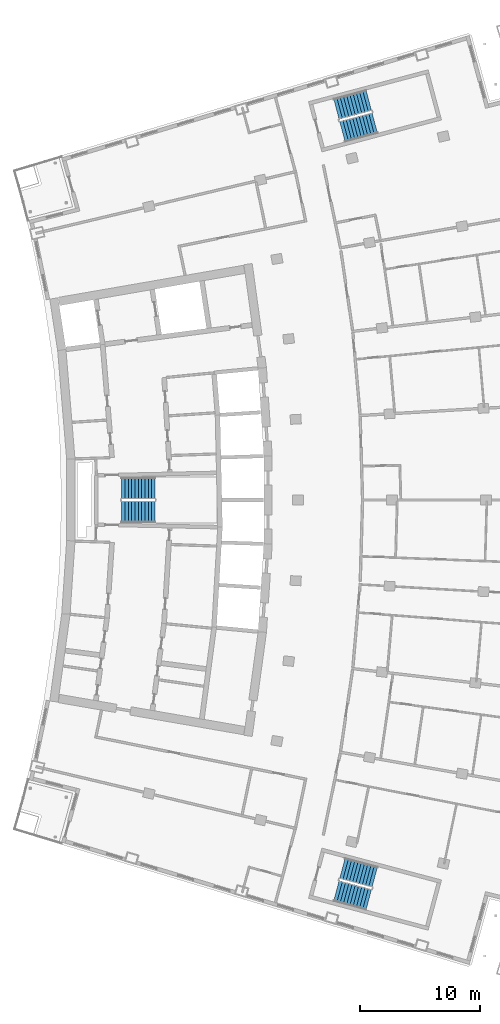
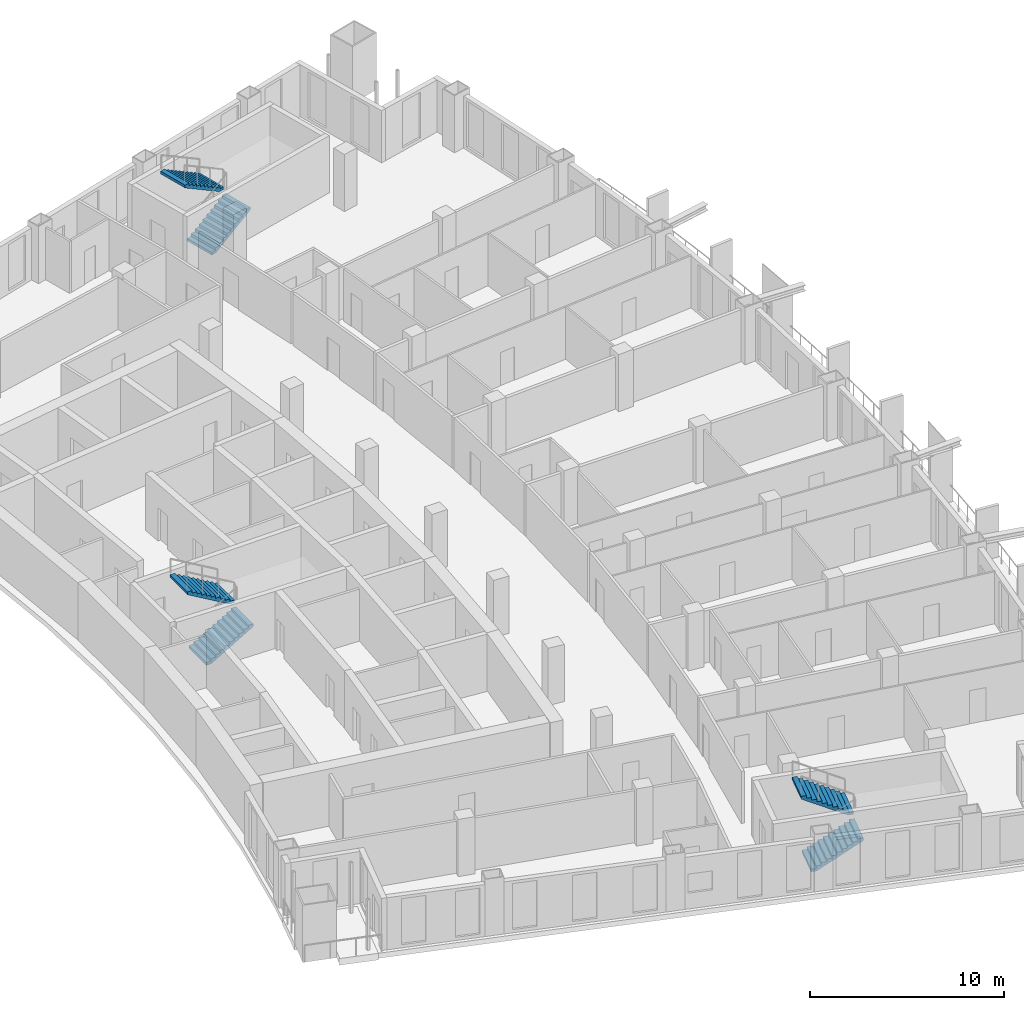
# One storey, part 17 of 20: 6 stair flights, 3 elements without a shape of their own.
"""IFC4 building model written with IfcOpenShell, lengths in metres."""

from ifc_helpers import new_model, si_unit, direction, frame, origin, place, context, subcontext, project, spatial, polyline, outline, extrude, material, layer, layer_set, type_object, element, aggregate, save


model = new_model("IFC4")

# Units and contexts
model_context = context("Model", 3, precision=1e-05, world=origin(), true_north=direction((0.0, 1.0)))
body_context = subcontext(model_context, "Body", "Model", "MODEL_VIEW")
ifc_project = project(units=[si_unit("LENGTHUNIT", "METRE"), si_unit("AREAUNIT", "SQUARE_METRE"), si_unit("VOLUMEUNIT", "CUBIC_METRE"), si_unit("PLANEANGLEUNIT", "RADIAN"), si_unit("MASSUNIT", "GRAM", prefix="KILO")], contexts=[model_context])

# Site, building, storey
site_placement = place(None, origin())
site = spatial("IfcSite", under=ifc_project, at=site_placement, CompositionType="ELEMENT")
building_placement = place(site_placement, origin())
building = spatial("IfcBuilding", under=site, at=building_placement, Name="Alderwake Tower", CompositionType="ELEMENT")
storey_placement = place(building_placement, frame((0.0, 0.0, 164.0)))
storey = spatial("IfcBuildingStorey", under=building, at=storey_placement, Name="L40", CompositionType="ELEMENT", Elevation=164.0)

# Stair, stair flights
ifc_material_1 = material(Name="Concrete C40/50", Category="concrete")
stair_type = type_object("IfcStairType", Name="Core exit stair", PredefinedType="HALF_TURN_STAIR", material=ifc_material_1)
stair_1_placement = place(storey_placement, origin())
stair_1 = element("IfcStair", 1, at=stair_1_placement, inside=storey, type_object=stair_type, Name="L40 Exit Stair B", PredefinedType="HALF_TURN_STAIR")
ifc_material_2 = material(Name="Concrete C40/50", Category="concrete")
ifc_layer = layer(ifc_material_2, 0.14990234375)
ifc_layer_set = layer_set([ifc_layer], Name="Core stair flight")
stair_flight_type = type_object("IfcStairFlightType", Name="Core stair flight", PredefinedType="STRAIGHT", material=ifc_layer_set)
stair_flight_1_placement = place(storey_placement, frame((21.0400390625, 60.02490234375, 0.0), z_axis=(0.0, 0.0, 1.0), x_axis=(1.0, 0.0, 0.0)))
stair_flight_1 = element("IfcStairFlight", 2, at=stair_flight_1_placement, type_object=stair_flight_type, Name="ST-B flight 1", NumberOfRisers=11, NumberOfTreads=10, PredefinedType="STRAIGHT", RiserHeight=0.163636364, TreadLength=0.28, context=body_context, shape_type="SweptSolid", body=[
    extrude(outline(polyline([(0.0, 0.0), (0.0, 0.16357421875), (0.280029296875, 0.16357421875), (0.280029296875, 0.327392578125), (0.56005859375, 0.327392578125), (0.56005859375, 0.490966796875), (0.840087890625, 0.490966796875), (0.840087890625, 0.654541015625), (1.1201171875, 0.654541015625), (1.1201171875, 0.818115234375), (1.39990234375, 0.818115234375), (1.39990234375, 0.98193359375), (1.679931640625, 0.98193359375), (1.679931640625, 1.1455078125), (1.9599609375, 1.1455078125), (1.9599609375, 1.30908203125), (2.239990234375, 1.30908203125), (2.239990234375, 1.47265625), (2.52001953125, 1.47265625), (2.52001953125, 1.636474609375), (2.800048828125, 1.636474609375), (2.800048828125, 1.800048828125), (2.800048828125, 1.462646484375), (0.297119140625, 0.0), (0.0, 0.0)])), frame((0.0, 0.89990234375, 0.0), z_axis=(0.0, -1.0, 0.0), x_axis=(1.0, 0.0, 0.0)), (0.0, 0.0, 1.0), 1.800048828125),
])
stair_flight_2_placement = place(storey_placement, frame((23.840087890625, 61.97509765625, 1.800048828125), z_axis=(0.0, 0.0, 1.0), x_axis=(-1.0, 0.0, 0.0)))
stair_flight_2 = element("IfcStairFlight", 3, at=stair_flight_2_placement, type_object=stair_flight_type, Name="ST-B flight 2", NumberOfRisers=11, NumberOfTreads=10, PredefinedType="STRAIGHT", RiserHeight=0.163636364, TreadLength=0.28, context=body_context, shape_type="SweptSolid", body=[
    extrude(outline(polyline([(0.0, 0.0), (0.0, 0.16357421875), (0.280029296875, 0.16357421875), (0.280029296875, 0.327392578125), (0.56005859375, 0.327392578125), (0.56005859375, 0.490966796875), (0.840087890625, 0.490966796875), (0.840087890625, 0.654541015625), (1.1201171875, 0.654541015625), (1.1201171875, 0.818115234375), (1.39990234375, 0.818115234375), (1.39990234375, 0.98193359375), (1.679931640625, 0.98193359375), (1.679931640625, 1.1455078125), (1.9599609375, 1.1455078125), (1.9599609375, 1.30908203125), (2.239990234375, 1.30908203125), (2.239990234375, 1.47265625), (2.52001953125, 1.47265625), (2.52001953125, 1.636474609375), (2.800048828125, 1.636474609375), (2.800048828125, 1.800048828125), (2.800048828125, 1.462646484375), (0.297119140625, 0.0), (0.0, 0.0)])), frame((0.0, 0.89990234375, 0.0), z_axis=(0.0, -1.0, 0.0), x_axis=(1.0, 0.0, 0.0)), (0.0, 0.0, 1.0), 1.800048828125),
])
aggregate(stair_1, [stair_flight_1, stair_flight_2])

stair_2_placement = place(storey_placement, origin())
stair_2 = element("IfcStair", 4, at=stair_2_placement, inside=storey, type_object=stair_type, Name="L40 Exit Stair A", PredefinedType="HALF_TURN_STAIR")
stair_flight_3_placement = place(storey_placement, frame((39.512939453125, 91.823974609375, 0.0), z_axis=(0.0, 0.0, 1.0), x_axis=(0.966309627437, 0.257382407951, 0.0)))
stair_flight_3 = element("IfcStairFlight", 5, at=stair_flight_3_placement, type_object=stair_flight_type, Name="ST-A flight 1", NumberOfRisers=11, NumberOfTreads=10, PredefinedType="STRAIGHT", RiserHeight=0.163636364, TreadLength=0.28, context=body_context, shape_type="SweptSolid", body=[
    extrude(outline(polyline([(0.0, 0.0), (0.0, 0.16357421875), (0.280029296875, 0.16357421875), (0.280029296875, 0.327392578125), (0.56005859375, 0.327392578125), (0.56005859375, 0.490966796875), (0.840087890625, 0.490966796875), (0.840087890625, 0.654541015625), (1.1201171875, 0.654541015625), (1.1201171875, 0.818115234375), (1.39990234375, 0.818115234375), (1.39990234375, 0.98193359375), (1.679931640625, 0.98193359375), (1.679931640625, 1.1455078125), (1.9599609375, 1.1455078125), (1.9599609375, 1.30908203125), (2.239990234375, 1.30908203125), (2.239990234375, 1.47265625), (2.52001953125, 1.47265625), (2.52001953125, 1.636474609375), (2.800048828125, 1.636474609375), (2.800048828125, 1.800048828125), (2.800048828125, 1.462646484375), (0.297119140625, 0.0), (0.0, 0.0)])), frame((0.0, 0.89990234375, 0.0), z_axis=(0.0, -1.0, 0.0), x_axis=(1.0, 0.0, 0.0)), (0.0, 0.0, 1.0), 1.800048828125),
])
stair_flight_4_placement = place(storey_placement, frame((41.716796875, 94.428955078125, 1.800048828125), z_axis=(0.0, 0.0, 1.0), x_axis=(-0.966309627437, -0.257382407951, 0.0)))
stair_flight_4 = element("IfcStairFlight", 6, at=stair_flight_4_placement, type_object=stair_flight_type, Name="ST-A flight 2", NumberOfRisers=11, NumberOfTreads=10, PredefinedType="STRAIGHT", RiserHeight=0.163636364, TreadLength=0.28, context=body_context, shape_type="SweptSolid", body=[
    extrude(outline(polyline([(0.0, 0.0), (0.0, 0.16357421875), (0.280029296875, 0.16357421875), (0.280029296875, 0.327392578125), (0.56005859375, 0.327392578125), (0.56005859375, 0.490966796875), (0.840087890625, 0.490966796875), (0.840087890625, 0.654541015625), (1.1201171875, 0.654541015625), (1.1201171875, 0.818115234375), (1.39990234375, 0.818115234375), (1.39990234375, 0.98193359375), (1.679931640625, 0.98193359375), (1.679931640625, 1.1455078125), (1.9599609375, 1.1455078125), (1.9599609375, 1.30908203125), (2.239990234375, 1.30908203125), (2.239990234375, 1.47265625), (2.52001953125, 1.47265625), (2.52001953125, 1.636474609375), (2.800048828125, 1.636474609375), (2.800048828125, 1.800048828125), (2.800048828125, 1.462646484375), (0.297119140625, 0.0), (0.0, 0.0)])), frame((0.0, 0.89990234375, 0.0), z_axis=(0.0, -1.0, 0.0), x_axis=(1.0, 0.0, 0.0)), (0.0, 0.0, 1.0), 1.800048828125),
])
aggregate(stair_2, [stair_flight_3, stair_flight_4])

stair_3_placement = place(storey_placement, origin())
stair_3 = element("IfcStair", 7, at=stair_3_placement, inside=storey, type_object=stair_type, Name="L40 Exit Stair C", PredefinedType="HALF_TURN_STAIR")
stair_flight_5_placement = place(storey_placement, frame((39.010986328125, 28.291748046875, 0.0), z_axis=(0.0, 0.0, 1.0), x_axis=(0.966309627437, -0.257382407951, 0.0)))
stair_flight_5 = element("IfcStairFlight", 8, at=stair_flight_5_placement, type_object=stair_flight_type, Name="ST-C flight 1", NumberOfRisers=11, NumberOfTreads=10, PredefinedType="STRAIGHT", RiserHeight=0.163636364, TreadLength=0.28, context=body_context, shape_type="SweptSolid", body=[
    extrude(outline(polyline([(0.0, 0.0), (0.0, 0.16357421875), (0.280029296875, 0.16357421875), (0.280029296875, 0.327392578125), (0.56005859375, 0.327392578125), (0.56005859375, 0.490966796875), (0.840087890625, 0.490966796875), (0.840087890625, 0.654541015625), (1.1201171875, 0.654541015625), (1.1201171875, 0.818115234375), (1.39990234375, 0.818115234375), (1.39990234375, 0.98193359375), (1.679931640625, 0.98193359375), (1.679931640625, 1.1455078125), (1.9599609375, 1.1455078125), (1.9599609375, 1.30908203125), (2.239990234375, 1.30908203125), (2.239990234375, 1.47265625), (2.52001953125, 1.47265625), (2.52001953125, 1.636474609375), (2.800048828125, 1.636474609375), (2.800048828125, 1.800048828125), (2.800048828125, 1.462646484375), (0.297119140625, 0.0), (0.0, 0.0)])), frame((0.0, 0.89990234375, 0.0), z_axis=(0.0, -1.0, 0.0), x_axis=(1.0, 0.0, 0.0)), (0.0, 0.0, 1.0), 1.800048828125),
])
stair_flight_6_placement = place(storey_placement, frame((42.218505859375, 29.455322265625, 1.800048828125), z_axis=(0.0, 0.0, 1.0), x_axis=(-0.966309627437, 0.257382407951, 0.0)))
stair_flight_6 = element("IfcStairFlight", 9, at=stair_flight_6_placement, type_object=stair_flight_type, Name="ST-C flight 2", NumberOfRisers=11, NumberOfTreads=10, PredefinedType="STRAIGHT", RiserHeight=0.163636364, TreadLength=0.28, context=body_context, shape_type="SweptSolid", body=[
    extrude(outline(polyline([(0.0, 0.0), (0.0, 0.16357421875), (0.280029296875, 0.16357421875), (0.280029296875, 0.327392578125), (0.56005859375, 0.327392578125), (0.56005859375, 0.490966796875), (0.840087890625, 0.490966796875), (0.840087890625, 0.654541015625), (1.1201171875, 0.654541015625), (1.1201171875, 0.818115234375), (1.39990234375, 0.818115234375), (1.39990234375, 0.98193359375), (1.679931640625, 0.98193359375), (1.679931640625, 1.1455078125), (1.9599609375, 1.1455078125), (1.9599609375, 1.30908203125), (2.239990234375, 1.30908203125), (2.239990234375, 1.47265625), (2.52001953125, 1.47265625), (2.52001953125, 1.636474609375), (2.800048828125, 1.636474609375), (2.800048828125, 1.800048828125), (2.800048828125, 1.462646484375), (0.297119140625, 0.0), (0.0, 0.0)])), frame((0.0, 0.89990234375, 0.0), z_axis=(0.0, -1.0, 0.0), x_axis=(1.0, 0.0, 0.0)), (0.0, 0.0, 1.0), 1.800048828125),
])
aggregate(stair_3, [stair_flight_5, stair_flight_6])

save(model, "model.ifc")
